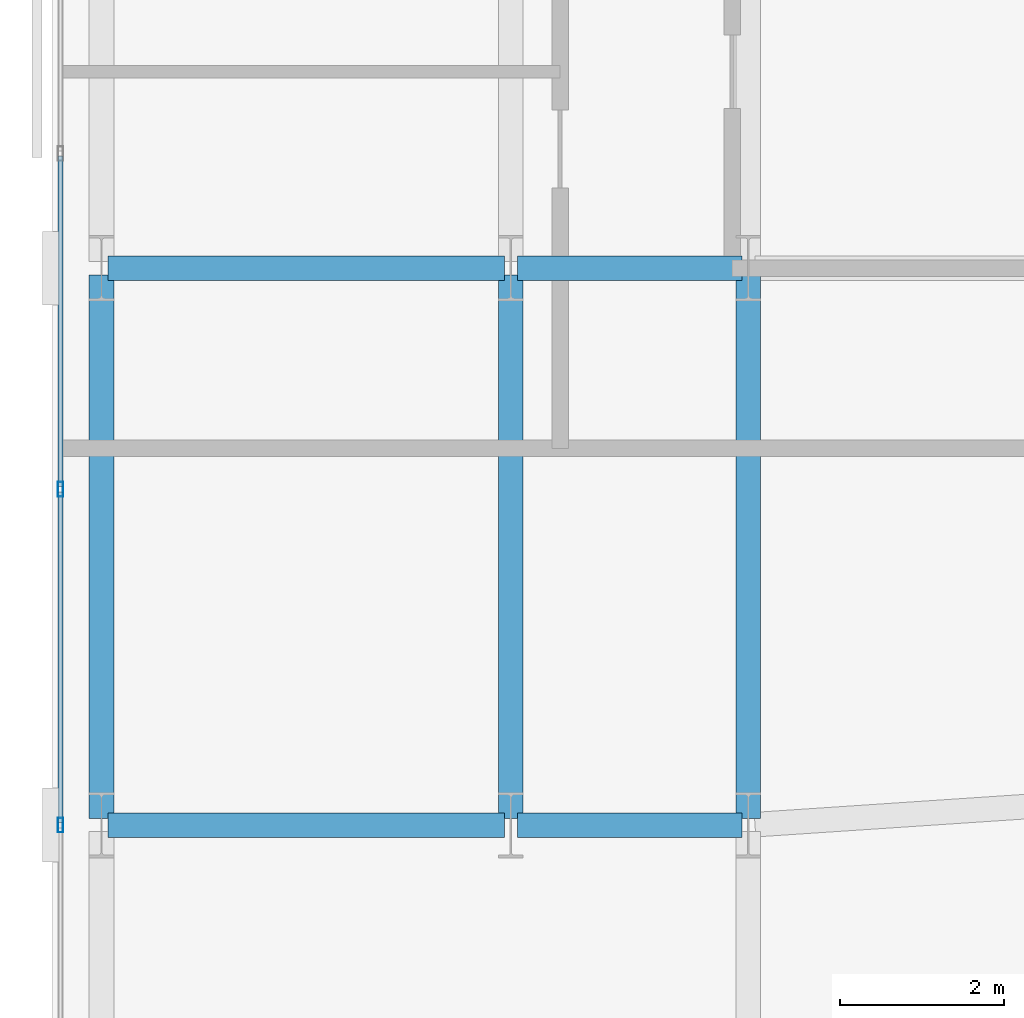
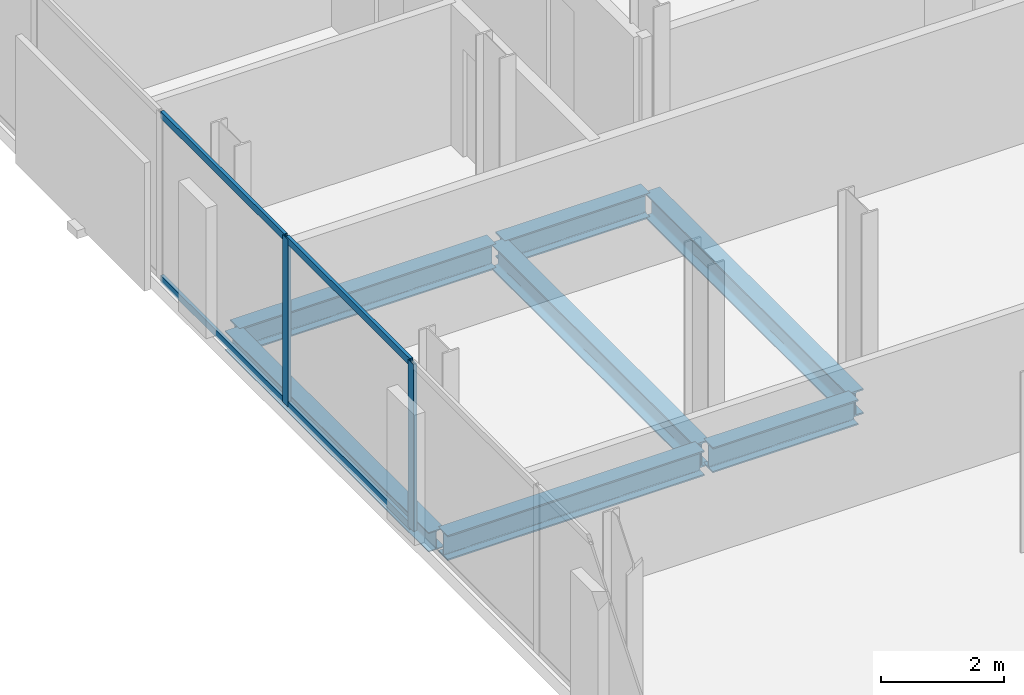
# One storey, part 11 of 33: 7 beams, 6 members, 1 element without a shape of its own.
"""IFC4 building model written with IfcOpenShell, lengths in metres."""

from ifc_helpers import new_model, si_unit, direction, frame, origin, origin_2d, place, context, subcontext, project, spatial, hollow_rectangle, i_section, extrude, material, layer, layer_set, material_profile, profile_set, type_object, element, aggregate, save


model = new_model("IFC4")

# Units and contexts
model_context = context("Model", 3, precision=1e-05, world=origin(), true_north=direction((0.0, 1.0)))
body_context = subcontext(model_context, "Body", "Model", "MODEL_VIEW")
ifc_project = project(units=[si_unit("LENGTHUNIT", "METRE"), si_unit("AREAUNIT", "SQUARE_METRE"), si_unit("VOLUMEUNIT", "CUBIC_METRE"), si_unit("PLANEANGLEUNIT", "RADIAN"), si_unit("MASSUNIT", "GRAM", prefix="KILO")], contexts=[model_context])

# Site, building, storey
site_placement = place(None, origin())
site = spatial("IfcSite", under=ifc_project, at=site_placement, CompositionType="ELEMENT")
building_placement = place(site_placement, origin())
building = spatial("IfcBuilding", under=site, at=building_placement, Name="Catumbela Crestline Tower", CompositionType="ELEMENT")
storey_placement = place(building_placement, frame((0.0, 0.0, 43.8)))
storey = spatial("IfcBuildingStorey", under=building, at=storey_placement, Name="L10", CompositionType="ELEMENT", Elevation=43.8)

# Beams
ifc_material_1 = material(Name="Structural steel S355J2", Category="steel")
ifc_material_profile_1 = material_profile(ifc_material_1, i_section(OverallWidth=0.3, OverallDepth=0.5, WebThickness=0.0145, FlangeThickness=0.028, FilletRadius=0.027, at=origin_2d()), Name="HEB 500")
ifc_profile_set_1 = profile_set([ifc_material_profile_1], Name="Structural steel S355J2")
beam_type_1 = type_object("IfcBeamType", Name="BG-HEB500", PredefinedType="BEAM", material=ifc_profile_set_1)
beam_1_placement = place(storey_placement, frame((0.68, 24.0, -0.51), z_axis=(1.0, 0.0, 0.0), x_axis=(0.0, 1.0, 0.0)))
element("IfcBeam", 1, at=beam_1_placement, inside=storey, type_object=beam_type_1, Name="L10 Beam BM-L10-S01", PredefinedType="BEAM", context=body_context, shape_type="SweptSolid", body=[
    extrude(i_section(OverallWidth=0.3, OverallDepth=0.5, WebThickness=0.0145, FlangeThickness=0.028, FilletRadius=0.027, at=origin_2d()), origin(), (0.0, 0.0, 1.0), 4.84),
])
beam_2_placement = place(storey_placement, frame((5.68, 24.0, -0.51), z_axis=(1.0, 0.0, 0.0), x_axis=(0.0, 1.0, 0.0)))
element("IfcBeam", 2, at=beam_2_placement, inside=storey, type_object=beam_type_1, Name="L10 Beam BM-L10-S02", PredefinedType="BEAM", context=body_context, shape_type="SweptSolid", body=[
    extrude(i_section(OverallWidth=0.3, OverallDepth=0.5, WebThickness=0.0145, FlangeThickness=0.028, FilletRadius=0.027, at=origin_2d()), origin(), (0.0, 0.0, 1.0), 2.74),
])
beam_3_placement = place(storey_placement, frame((0.68, 30.8, -0.51), z_axis=(1.0, 0.0, 0.0), x_axis=(0.0, 1.0, 0.0)))
element("IfcBeam", 3, at=beam_3_placement, inside=storey, type_object=beam_type_1, Name="L10 Beam BM-L10-M07", PredefinedType="BEAM", context=body_context, shape_type="SweptSolid", body=[
    extrude(i_section(OverallWidth=0.3, OverallDepth=0.5, WebThickness=0.0145, FlangeThickness=0.028, FilletRadius=0.027, at=origin_2d()), origin(), (0.0, 0.0, 1.0), 4.84),
])
beam_4_placement = place(storey_placement, frame((5.68, 30.8, -0.51), z_axis=(1.0, 0.0, 0.0), x_axis=(0.0, 1.0, 0.0)))
element("IfcBeam", 4, at=beam_4_placement, inside=storey, type_object=beam_type_1, Name="L10 Beam BM-L10-M08", PredefinedType="BEAM", context=body_context, shape_type="SweptSolid", body=[
    extrude(i_section(OverallWidth=0.3, OverallDepth=0.5, WebThickness=0.0145, FlangeThickness=0.028, FilletRadius=0.027, at=origin_2d()), origin(), (0.0, 0.0, 1.0), 2.74),
])
for number, where, z_axis, x_axis, name in (
    (5, (5.6, 24.08, -0.51), (0.0, 1.0, 0.0), (-1.0, 0.0, 0.0), "L10 Beam BM-L10-SN27"),
    (6, (8.5, 24.08, -0.51), (0.0, 1.0, 0.0), (-1.0, 0.0, 0.0), "L10 Beam BM-L10-SN29"),
):
    element("IfcBeam", number, at=place(storey_placement, frame(where, z_axis=z_axis, x_axis=x_axis)), inside=storey, type_object=beam_type_1, Name=name, PredefinedType="BEAM", context=body_context, shape_type="SweptSolid", body=[
        extrude(i_section(OverallWidth=0.3, OverallDepth=0.5, WebThickness=0.0145, FlangeThickness=0.028, FilletRadius=0.027, at=origin_2d()), origin(), (0.0, 0.0, 1.0), 6.64),
    ])

# Curtain wall, members
ifc_material_2 = material(Name="Aluminium alloy AW-6060-T66", Category="aluminium")
ifc_layer = layer(ifc_material_2, 0.18, Name="Aluminium alloy AW-6060-T66")
ifc_layer_set = layer_set([ifc_layer], Name="Aluminium alloy AW-6060-T66")
curtain_wall_type = type_object("IfcCurtainWallType", Name="CWU-Z1", PredefinedType="USERDEFINED", material=ifc_layer_set)
curtain_wall_placement = place(storey_placement, origin())
curtain_wall = element("IfcCurtainWall", 7, at=curtain_wall_placement, inside=storey, type_object=curtain_wall_type, Name="L10 Unitised Curtain Wall CW-L10-E9S1", ObjectType="UNITISED", PredefinedType="USERDEFINED")
ifc_material_profile_2 = material_profile(ifc_material_2, hollow_rectangle(XDim=0.065, YDim=0.18, WallThickness=0.004, at=origin_2d()), Name="ALU 180x65x4")
ifc_profile_set_2 = profile_set([ifc_material_profile_2], Name="Aluminium alloy AW-6060-T66")
member_type_1 = type_object("IfcMemberType", Name="MUL-180X65", PredefinedType="MULLION", material=ifc_profile_set_2)
member_1_placement = place(storey_placement, frame((0.1, 28.1, 0.0), z_axis=(0.0, 0.0, 1.0), x_axis=(1.0, 0.0, 0.0)))
member_1 = element("IfcMember", 8, at=member_1_placement, type_object=member_type_1, Name="CWU-Z1 mullion 5", PredefinedType="MULLION", context=body_context, shape_type="SweptSolid", body=[
    extrude(hollow_rectangle(XDim=0.065, YDim=0.18, WallThickness=0.004, at=origin_2d()), origin(), (0.0, 0.0, 1.0), 3.33),
])
member_2_placement = place(storey_placement, frame((0.1, 24.0, 0.0), z_axis=(0.0, 0.0, 1.0), x_axis=(1.0, 0.0, 0.0)))
member_2 = element("IfcMember", 9, at=member_2_placement, type_object=member_type_1, Name="CWU-Z1 mullion 6", PredefinedType="MULLION", context=body_context, shape_type="SweptSolid", body=[
    extrude(hollow_rectangle(XDim=0.065, YDim=0.18, WallThickness=0.004, at=origin_2d()), origin(), (0.0, 0.0, 1.0), 3.33),
])

# Beam
ifc_material_profile_3 = material_profile(ifc_material_1, i_section(OverallWidth=0.3, OverallDepth=0.39, WebThickness=0.011, FlangeThickness=0.019, FilletRadius=0.027, at=origin_2d()), Name="HEA 400")
ifc_profile_set_3 = profile_set([ifc_material_profile_3], Name="Structural steel S355J2")
beam_type_2 = type_object("IfcBeamType", Name="BS-HEA400", PredefinedType="SPANDREL", material=ifc_profile_set_3)
beam_5_placement = place(storey_placement, frame((0.6, 24.08, -0.455), z_axis=(0.0, 1.0, 0.0), x_axis=(-1.0, 0.0, 0.0)))
element("IfcBeam", 10, at=beam_5_placement, inside=storey, type_object=beam_type_2, Name="L10 Spandrel SP-L10-SN25", PredefinedType="SPANDREL", context=body_context, shape_type="SweptSolid", body=[
    extrude(i_section(OverallWidth=0.3, OverallDepth=0.39, WebThickness=0.011, FlangeThickness=0.019, FilletRadius=0.027, at=origin_2d()), origin(), (0.0, 0.0, 1.0), 6.64),
])

# Member
ifc_material_profile_4 = material_profile(ifc_material_2, hollow_rectangle(XDim=0.06, YDim=0.14, WallThickness=0.004, at=origin_2d()), Name="ALU 140x60x4")
ifc_profile_set_4 = profile_set([ifc_material_profile_4], Name="Aluminium alloy AW-6060-T66")
member_type_2 = type_object("IfcMemberType", Name="TRN-140X60", PredefinedType="USERDEFINED", material=ifc_profile_set_4)
member_3_placement = place(storey_placement, frame((0.1, 32.1675, 0.03), z_axis=(0.0, -1.0, 0.0), x_axis=(1.0, 0.0, 0.0)))
member_3 = element("IfcMember", 11, at=member_3_placement, type_object=member_type_2, Name="CWU-Z1 transom 4.1", ObjectType="TRANSOM", PredefinedType="USERDEFINED", context=body_context, shape_type="SweptSolid", body=[
    extrude(hollow_rectangle(XDim=0.06, YDim=0.14, WallThickness=0.004, at=origin_2d()), origin(), (0.0, 0.0, 1.0), 4.035),
])

member_4_placement = place(storey_placement, frame((0.1, 32.1675, 3.3), z_axis=(0.0, -1.0, 0.0), x_axis=(1.0, 0.0, 0.0)))
member_4 = element("IfcMember", 12, at=member_4_placement, type_object=member_type_2, Name="CWU-Z1 transom 4.2", ObjectType="TRANSOM", PredefinedType="USERDEFINED", context=body_context, shape_type="SweptSolid", body=[
    extrude(hollow_rectangle(XDim=0.06, YDim=0.14, WallThickness=0.004, at=origin_2d()), origin(), (0.0, 0.0, 1.0), 4.035),
])

member_5_placement = place(storey_placement, frame((0.1, 28.0675, 0.03), z_axis=(0.0, -1.0, 0.0), x_axis=(1.0, 0.0, 0.0)))
member_5 = element("IfcMember", 13, at=member_5_placement, type_object=member_type_2, Name="CWU-Z1 transom 5.1", ObjectType="TRANSOM", PredefinedType="USERDEFINED", context=body_context, shape_type="SweptSolid", body=[
    extrude(hollow_rectangle(XDim=0.06, YDim=0.14, WallThickness=0.004, at=origin_2d()), origin(), (0.0, 0.0, 1.0), 4.035),
])

member_6_placement = place(storey_placement, frame((0.1, 28.0675, 3.3), z_axis=(0.0, -1.0, 0.0), x_axis=(1.0, 0.0, 0.0)))
member_6 = element("IfcMember", 14, at=member_6_placement, type_object=member_type_2, Name="CWU-Z1 transom 5.2", ObjectType="TRANSOM", PredefinedType="USERDEFINED", context=body_context, shape_type="SweptSolid", body=[
    extrude(hollow_rectangle(XDim=0.06, YDim=0.14, WallThickness=0.004, at=origin_2d()), origin(), (0.0, 0.0, 1.0), 4.035),
])

aggregate(curtain_wall, [member_1, member_2, member_3, member_4, member_5, member_6])

save(model, "model.ifc")
